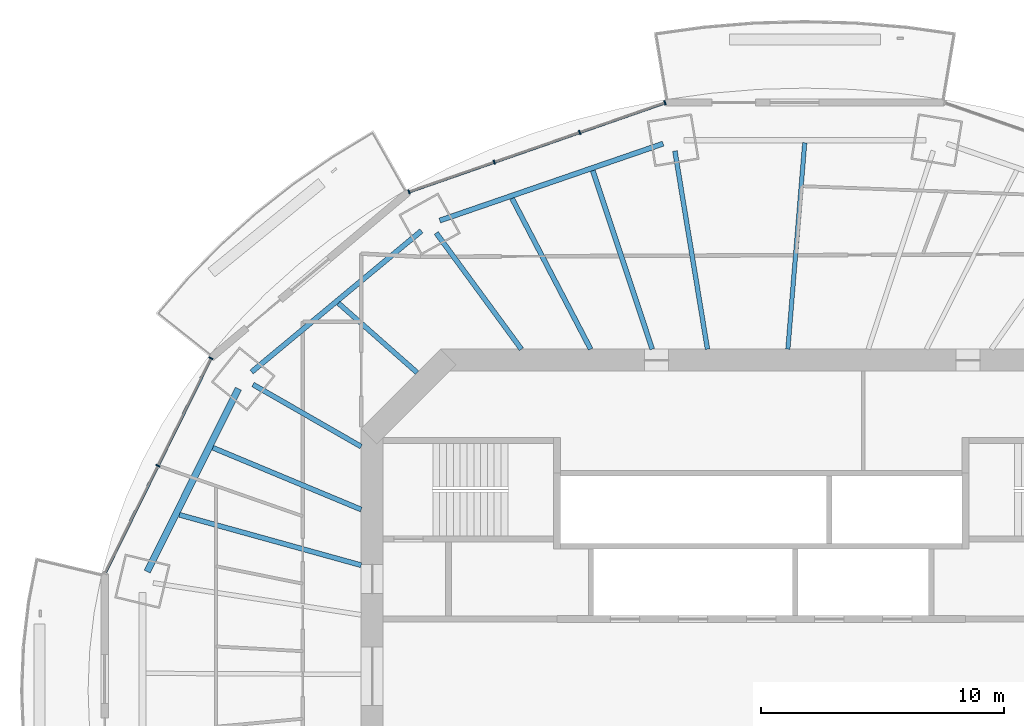
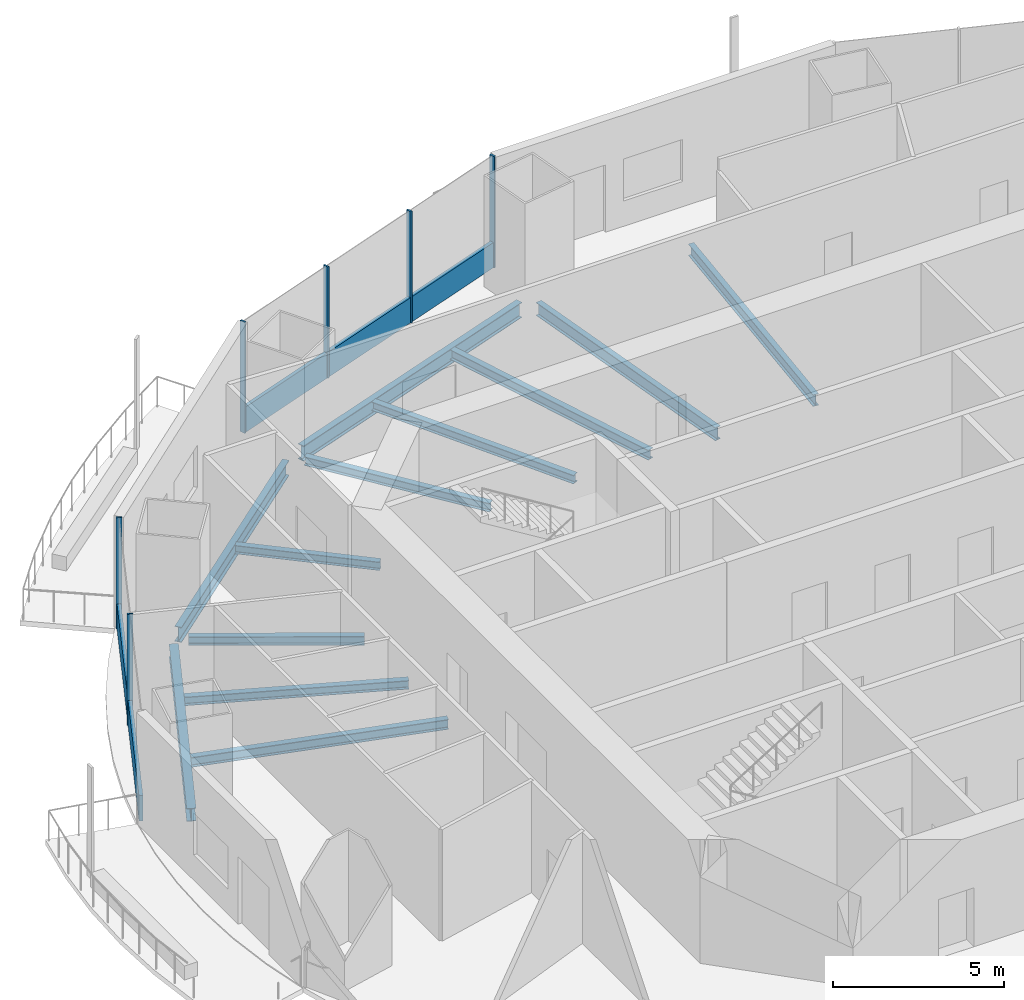
# One storey, part 6 of 18: 12 beams, 8 members, 2 elements without a shape of their own.
"""IFC4 building model written with IfcOpenShell, lengths in metres."""

from ifc_helpers import new_model, si_unit, direction, frame, origin, origin_2d, place, context, subcontext, project, spatial, rectangle, i_section, extrude, material, material_profile, profile_set, type_object, element, aggregate, save


model = new_model("IFC4")

# Units and contexts
model_context = context("Model", 3, precision=1e-05, world=origin(), true_north=direction((0.0, 1.0)))
body_context = subcontext(model_context, "Body", "Model", "MODEL_VIEW")
ifc_project = project(units=[si_unit("LENGTHUNIT", "METRE"), si_unit("AREAUNIT", "SQUARE_METRE"), si_unit("VOLUMEUNIT", "CUBIC_METRE"), si_unit("PLANEANGLEUNIT", "RADIAN"), si_unit("MASSUNIT", "GRAM", prefix="KILO")], contexts=[model_context])

# Site, building, storey
site_placement = place(None, origin())
site = spatial("IfcSite", under=ifc_project, at=site_placement, CompositionType="ELEMENT")
building_placement = place(site_placement, origin())
building = spatial("IfcBuilding", under=site, at=building_placement, Name="Marenthal Gate Tower", CompositionType="ELEMENT")
storey_placement = place(building_placement, frame((0.0, 0.0, 260.64990234375)))
storey = spatial("IfcBuildingStorey", under=building, at=storey_placement, Name="L58", CompositionType="ELEMENT", Elevation=260.64990234375)

# Curtain wall, members
ifc_material_1 = material(Name="Aluminium and glass", Category="aluminium")
curtain_wall_type = type_object("IfcCurtainWallType", Name="Curtain wall typical mid", PredefinedType="NOTDEFINED", material=ifc_material_1)
curtain_wall_1_placement = place(storey_placement, origin())
curtain_wall_1 = element("IfcCurtainWall", 1, at=curtain_wall_1_placement, inside=storey, type_object=curtain_wall_type, Name="Curtain wall L58 bay 5", PredefinedType="NOTDEFINED")
ifc_material_2 = material(Name="Aluminium", Category="aluminium")
ifc_material_profile_1 = material_profile(ifc_material_2, rectangle(XDim=0.179931640625, YDim=0.06005859375, at=origin_2d()), Name="60x180 aluminium mullion")
ifc_profile_set_1 = profile_set([ifc_material_profile_1], Name="Aluminium")
member_type_1 = type_object("IfcMemberType", Name="Mullion 60x180 typical mid", PredefinedType="MULLION", material=ifc_profile_set_1)
member_1_placement = place(storey_placement, frame((-3.956298828125, 23.584228515625, 0.0), z_axis=(0.0, 0.0, 1.0), x_axis=(0.328669787971, -0.944444900709, 0.0)))
member_1 = element("IfcMember", 2, at=member_1_placement, type_object=member_type_1, Name="Mullion L58 bay 5.1", PredefinedType="MULLION", context=body_context, shape_type="SweptSolid", body=[
    extrude(rectangle(XDim=0.179931640625, YDim=0.06005859375, at=origin_2d()), origin(), (0.0, 0.0, 1.0), 3.97021484375),
])
member_2_placement = place(storey_placement, frame((-7.465576171875, 22.363037109375, 0.0), z_axis=(0.0, 0.0, 1.0), x_axis=(0.328669787971, -0.944444900709, 0.0)))
member_2 = element("IfcMember", 3, at=member_2_placement, type_object=member_type_1, Name="Mullion L58 bay 5.2", PredefinedType="MULLION", context=body_context, shape_type="SweptSolid", body=[
    extrude(rectangle(XDim=0.179931640625, YDim=0.06005859375, at=origin_2d()), origin(), (0.0, 0.0, 1.0), 3.97021484375),
])
member_3_placement = place(storey_placement, frame((-10.974609375, 21.141845703125, 0.0), z_axis=(0.0, 0.0, 1.0), x_axis=(0.328669787971, -0.944444900709, 0.0)))
member_3 = element("IfcMember", 4, at=member_3_placement, type_object=member_type_1, Name="Mullion L58 bay 5.3", PredefinedType="MULLION", context=body_context, shape_type="SweptSolid", body=[
    extrude(rectangle(XDim=0.179931640625, YDim=0.06005859375, at=origin_2d()), origin(), (0.0, 0.0, 1.0), 3.97021484375),
])
member_4_placement = place(storey_placement, frame((-14.48388671875, 19.920654296875, 0.0), z_axis=(0.0, 0.0, 1.0), x_axis=(0.328669787971, -0.944444900709, 0.0)))
member_4 = element("IfcMember", 5, at=member_4_placement, type_object=member_type_1, Name="Mullion L58 bay 5.4", PredefinedType="MULLION", context=body_context, shape_type="SweptSolid", body=[
    extrude(rectangle(XDim=0.179931640625, YDim=0.06005859375, at=origin_2d()), origin(), (0.0, 0.0, 1.0), 3.97021484375),
])

curtain_wall_2_placement = place(storey_placement, origin())
curtain_wall_2 = element("IfcCurtainWall", 6, at=curtain_wall_2_placement, inside=storey, type_object=curtain_wall_type, Name="Curtain wall L58 bay 7", PredefinedType="NOTDEFINED")
member_5_placement = place(storey_placement, frame((-22.6259765625, 13.077880859375, 0.0), z_axis=(0.0, 0.0, 1.0), x_axis=(0.896920632002, -0.442191564697, 0.0)))
member_5 = element("IfcMember", 7, at=member_5_placement, type_object=member_type_1, Name="Mullion L58 bay 7.1", PredefinedType="MULLION", context=body_context, shape_type="SweptSolid", body=[
    extrude(rectangle(XDim=0.179931640625, YDim=0.06005859375, at=origin_2d()), origin(), (0.0, 0.0, 1.0), 3.97021484375),
])
member_6_placement = place(storey_placement, frame((-24.8046875, 8.65869140625, 0.0), z_axis=(0.0, 0.0, 1.0), x_axis=(0.896920632002, -0.442191564697, 0.0)))
member_6 = element("IfcMember", 8, at=member_6_placement, type_object=member_type_1, Name="Mullion L58 bay 7.2", PredefinedType="MULLION", context=body_context, shape_type="SweptSolid", body=[
    extrude(rectangle(XDim=0.179931640625, YDim=0.06005859375, at=origin_2d()), origin(), (0.0, 0.0, 1.0), 3.97021484375),
])

# Member
ifc_material_3 = material(Name="Aluminium", Category="aluminium")
ifc_material_profile_2 = material_profile(ifc_material_3, rectangle(XDim=0.1201171875, YDim=0.89990234375, at=origin_2d()), Name="120x900 aluminium transom")
ifc_profile_set_2 = profile_set([ifc_material_profile_2], Name="Aluminium")
member_type_2 = type_object("IfcMemberType", Name="Transom 120x900 typical mid", PredefinedType="USERDEFINED", material=ifc_profile_set_2)
member_7_placement = place(storey_placement, frame((-3.984619140625, 23.57421875, 0.4501953125), z_axis=(-0.944445984358, -0.328666674047, 0.0), x_axis=(0.328666674047, -0.944445984358, 0.0)))
member_7 = element("IfcMember", 9, at=member_7_placement, type_object=member_type_2, Name="Transom L58 bay 5", ObjectType="TRANSOM", PredefinedType="USERDEFINED", context=body_context, shape_type="SweptSolid", body=[
    extrude(rectangle(XDim=0.1201171875, YDim=0.89990234375, at=origin_2d()), origin(), (0.0, 0.0, 1.0), 11.086669921875),
])

aggregate(curtain_wall_1, [member_1, member_2, member_3, member_4, member_7])

member_8_placement = place(storey_placement, frame((-22.639404296875, 13.051025390625, 0.4501953125), z_axis=(-0.442181240155, -0.896925722039, 0.0), x_axis=(0.896925722039, -0.442181240155, 0.0)))
member_8 = element("IfcMember", 10, at=member_8_placement, type_object=member_type_2, Name="Transom L58 bay 7", ObjectType="TRANSOM", PredefinedType="USERDEFINED", context=body_context, shape_type="SweptSolid", body=[
    extrude(rectangle(XDim=0.1201171875, YDim=0.89990234375, at=origin_2d()), origin(), (0.0, 0.0, 1.0), 9.794189453125),
])

aggregate(curtain_wall_2, [member_5, member_6, member_8])

# Beams
ifc_material_4 = material(Name="Steel S355", Category="steel")
ifc_material_profile_3 = material_profile(ifc_material_4, i_section(OverallWidth=0.202880859375, OverallDepth=0.302001953125, WebThickness=0.007568359375, FlangeThickness=0.01318359375, FilletRadius=0.0126953125, at=origin_2d()), Name="W310X60")
ifc_profile_set_3 = profile_set([ifc_material_profile_3], Name="Steel S355")
beam_type_1 = type_object("IfcBeamType", Name="W310X60 beam", PredefinedType="BEAM", material=ifc_profile_set_3)
beam_1_placement = place(storey_placement, frame((-17.38623046875, 15.341064453125, -0.330810546875), z_axis=(0.74982960037, -0.661630992631, 0.0), x_axis=(0.661630992631, 0.74982960037, 0.0)))
element("IfcBeam", 11, at=beam_1_placement, inside=storey, type_object=beam_type_1, Name="BM-L58-25", PredefinedType="BEAM", context=body_context, shape_type="SweptSolid", body=[
    extrude(i_section(OverallWidth=0.202880859375, OverallDepth=0.302001953125, WebThickness=0.007568359375, FlangeThickness=0.01318359375, FilletRadius=0.0126953125, at=origin_2d()), origin(), (0.0, 0.0, 1.0), 4.3154296875),
])
ifc_material_5 = material(Name="Steel S355", Category="steel")
ifc_material_profile_4 = material_profile(ifc_material_5, i_section(OverallWidth=0.205078125, OverallDepth=0.31005859375, WebThickness=0.009521484375, FlangeThickness=0.016357421875, FilletRadius=0.0126953125, at=origin_2d()), Name="W310X74")
ifc_profile_set_4 = profile_set([ifc_material_profile_4], Name="Steel S355")
beam_type_2 = type_object("IfcBeamType", Name="W310X74 beam", PredefinedType="BEAM", material=ifc_profile_set_4)
beam_2_placement = place(storey_placement, frame((-13.36376953125, 18.22802734375, -0.3349609375), z_axis=(0.591254682891, -0.80648490374, 0.0), x_axis=(0.80648490374, 0.591254682891, 0.0)))
element("IfcBeam", 12, at=beam_2_placement, inside=storey, type_object=beam_type_2, Name="BM-L58-06", PredefinedType="BEAM", context=body_context, shape_type="SweptSolid", body=[
    extrude(i_section(OverallWidth=0.205078125, OverallDepth=0.31005859375, WebThickness=0.009521484375, FlangeThickness=0.016357421875, FilletRadius=0.0126953125, at=origin_2d()), origin(), (0.0, 0.0, 1.0), 5.924560546875),
])
beam_3_placement = place(storey_placement, frame((-20.898681640625, 11.9970703125, -0.3349609375), z_axis=(0.867269079929, -0.497839675999, 0.0), x_axis=(0.497839675999, 0.867269079929, 0.0)))
element("IfcBeam", 13, at=beam_3_placement, inside=storey, type_object=beam_type_2, Name="BM-L58-07", PredefinedType="BEAM", context=body_context, shape_type="SweptSolid", body=[
    extrude(i_section(OverallWidth=0.205078125, OverallDepth=0.31005859375, WebThickness=0.009521484375, FlangeThickness=0.016357421875, FilletRadius=0.0126953125, at=origin_2d()), origin(), (0.0, 0.0, 1.0), 5.129638671875),
])
beam_4_placement = place(storey_placement, frame((-10.24658203125, 19.651123046875, -0.3349609375), z_axis=(0.462341699515, -0.886701839904, 0.0), x_axis=(0.886701839904, 0.462341699515, 0.0)))
element("IfcBeam", 14, at=beam_4_placement, inside=storey, type_object=beam_type_2, Name="BM-L58-24", PredefinedType="BEAM", context=body_context, shape_type="SweptSolid", body=[
    extrude(i_section(OverallWidth=0.205078125, OverallDepth=0.31005859375, WebThickness=0.009521484375, FlangeThickness=0.016357421875, FilletRadius=0.0126953125, at=origin_2d()), origin(), (0.0, 0.0, 1.0), 6.993408203125),
])
beam_5_placement = place(storey_placement, frame((-22.552734375, 9.39892578125, -0.3349609375), z_axis=(0.923056164133, -0.384665202295, 0.0), x_axis=(0.384665202295, 0.923056164133, 0.0)))
element("IfcBeam", 15, at=beam_5_placement, inside=storey, type_object=beam_type_2, Name="BM-L58-26", PredefinedType="BEAM", context=body_context, shape_type="SweptSolid", body=[
    extrude(i_section(OverallWidth=0.205078125, OverallDepth=0.31005859375, WebThickness=0.009521484375, FlangeThickness=0.016357421875, FilletRadius=0.0126953125, at=origin_2d()), origin(), (0.0, 0.0, 1.0), 6.611572265625),
])
ifc_material_6 = material(Name="Steel S355", Category="steel")
ifc_material_profile_5 = material_profile(ifc_material_6, i_section(OverallWidth=0.205078125, OverallDepth=0.35302734375, WebThickness=0.009521484375, FlangeThickness=0.016845703125, FilletRadius=0.014892578125, at=origin_2d()), Name="W360X79")
ifc_profile_set_5 = profile_set([ifc_material_profile_5], Name="Steel S355")
beam_type_3 = type_object("IfcBeamType", Name="W360X79 beam", PredefinedType="BEAM", material=ifc_profile_set_5)
beam_6_placement = place(storey_placement, frame((-6.924560546875, 20.794677734375, -0.3564453125), z_axis=(0.315943913251, -0.94877786846, 0.0), x_axis=(0.94877786846, 0.315943913251, 0.0)))
element("IfcBeam", 16, at=beam_6_placement, inside=storey, type_object=beam_type_3, Name="BM-L58-23", PredefinedType="BEAM", context=body_context, shape_type="SweptSolid", body=[
    extrude(i_section(OverallWidth=0.205078125, OverallDepth=0.35302734375, WebThickness=0.009521484375, FlangeThickness=0.016845703125, FilletRadius=0.014892578125, at=origin_2d()), origin(), (0.0, 0.0, 1.0), 7.7412109375),
])
beam_7_placement = place(storey_placement, frame((-23.927490234375, 6.640380859375, -0.3564453125), z_axis=(0.963580984716, -0.267416689633, 0.0), x_axis=(0.267416689633, 0.963580984716, 0.0)))
element("IfcBeam", 17, at=beam_7_placement, inside=storey, type_object=beam_type_3, Name="BM-L58-27", PredefinedType="BEAM", context=body_context, shape_type="SweptSolid", body=[
    extrude(i_section(OverallWidth=0.205078125, OverallDepth=0.35302734375, WebThickness=0.009521484375, FlangeThickness=0.016845703125, FilletRadius=0.014892578125, at=origin_2d()), origin(), (0.0, 0.0, 1.0), 7.76025390625),
])
ifc_material_7 = material(Name="Steel S355", Category="steel")
ifc_material_profile_6 = material_profile(ifc_material_7, i_section(OverallWidth=0.180908203125, OverallDepth=0.4169921875, WebThickness=0.010986328125, FlangeThickness=0.018310546875, FilletRadius=0.01025390625, at=origin_2d()), Name="W410X85")
ifc_profile_set_6 = profile_set([ifc_material_profile_6], Name="Steel S355")
beam_type_4 = type_object("IfcBeamType", Name="W410X85 beam", PredefinedType="BEAM", material=ifc_profile_set_6)
beam_8_placement = place(storey_placement, frame((1.791259765625, 21.9384765625, -0.388427734375), z_axis=(-0.081382349502, -0.996682955202, 0.0), x_axis=(0.996682955202, -0.081382349502, 0.0)))
element("IfcBeam", 18, at=beam_8_placement, inside=storey, type_object=beam_type_4, Name="BM-L58-22", PredefinedType="BEAM", context=body_context, shape_type="SweptSolid", body=[
    extrude(i_section(OverallWidth=0.180908203125, OverallDepth=0.4169921875, WebThickness=0.010986328125, FlangeThickness=0.018310546875, FilletRadius=0.01025390625, at=origin_2d()), origin(), (0.0, 0.0, 1.0), 8.516845703125),
])
ifc_material_8 = material(Name="Steel S355", Category="steel")
ifc_material_profile_7 = material_profile(ifc_material_8, i_section(OverallWidth=0.279052734375, OverallDepth=0.4619140625, WebThickness=0.0107421875, FlangeThickness=0.017333984375, FilletRadius=0.010009765625, at=origin_2d()), Name="W460X113")
ifc_profile_set_7 = profile_set([ifc_material_profile_7], Name="Steel S355")
beam_type_5 = type_object("IfcBeamType", Name="W460X113 beam", PredefinedType="BEAM", material=ifc_profile_set_7)
beam_9_placement = place(storey_placement, frame((-21.498291015625, 11.8271484375, -0.410888671875), z_axis=(-0.446062695792, -0.895001715877, 0.0), x_axis=(0.895001715877, -0.446062695792, 0.0)))
element("IfcBeam", 19, at=beam_9_placement, inside=storey, type_object=beam_type_5, Name="BM-L58-47", PredefinedType="BEAM", context=body_context, shape_type="SweptSolid", body=[
    extrude(i_section(OverallWidth=0.279052734375, OverallDepth=0.4619140625, WebThickness=0.0107421875, FlangeThickness=0.017333984375, FilletRadius=0.010009765625, at=origin_2d()), origin(), (0.0, 0.0, 1.0), 8.403076171875),
])
ifc_material_9 = material(Name="Steel S355", Category="steel")
ifc_material_profile_8 = material_profile(ifc_material_9, i_section(OverallWidth=0.193115234375, OverallDepth=0.467041015625, WebThickness=0.011474609375, FlangeThickness=0.01904296875, FilletRadius=0.010009765625, at=origin_2d()), Name="W460X97")
ifc_profile_set_8 = profile_set([ifc_material_profile_8], Name="Steel S355")
beam_type_6 = type_object("IfcBeamType", Name="W460X97 beam", PredefinedType="BEAM", material=ifc_profile_set_8)
beam_10_placement = place(storey_placement, frame((-3.546875, 21.600341796875, -0.413330078125), z_axis=(0.162040220851, -0.986784154122, 0.0), x_axis=(0.986784154122, 0.162040220851, 0.0)))
element("IfcBeam", 20, at=beam_10_placement, inside=storey, type_object=beam_type_6, Name="BM-L58-05", PredefinedType="BEAM", context=body_context, shape_type="SweptSolid", body=[
    extrude(i_section(OverallWidth=0.193115234375, OverallDepth=0.467041015625, WebThickness=0.011474609375, FlangeThickness=0.01904296875, FilletRadius=0.010009765625, at=origin_2d()), origin(), (0.0, 0.0, 1.0), 8.259521484375),
])
ifc_material_10 = material(Name="Steel S355", Category="steel")
ifc_material_profile_9 = material_profile(ifc_material_10, i_section(OverallWidth=0.2119140625, OverallDepth=0.5439453125, WebThickness=0.01318359375, FlangeThickness=0.021240234375, FilletRadius=0.0126953125, at=origin_2d()), Name="W530X123")
ifc_profile_set_9 = profile_set([ifc_material_profile_9], Name="Steel S355")
beam_type_7 = type_object("IfcBeamType", Name="W530X123 beam", PredefinedType="BEAM", material=ifc_profile_set_9)
beam_11_placement = place(storey_placement, frame((-4.0341796875, 21.90185546875, -0.451904296875), z_axis=(-0.945538727214, -0.325509624034, 0.0), x_axis=(0.325509624034, -0.945538727214, 0.0)))
element("IfcBeam", 21, at=beam_11_placement, inside=storey, type_object=beam_type_7, Name="BM-L58-45", PredefinedType="BEAM", context=body_context, shape_type="SweptSolid", body=[
    extrude(i_section(OverallWidth=0.2119140625, OverallDepth=0.5439453125, WebThickness=0.01318359375, FlangeThickness=0.021240234375, FilletRadius=0.0126953125, at=origin_2d()), origin(), (0.0, 0.0, 1.0), 9.713623046875),
])
beam_12_placement = place(storey_placement, frame((-13.9736328125, 18.31494140625, -0.451904296875), z_axis=(-0.769082206984, -0.639149872018, 0.0), x_axis=(0.639149872018, -0.769082206984, 0.0)))
element("IfcBeam", 22, at=beam_12_placement, inside=storey, type_object=beam_type_7, Name="BM-L58-46", PredefinedType="BEAM", context=body_context, shape_type="SweptSolid", body=[
    extrude(i_section(OverallWidth=0.2119140625, OverallDepth=0.5439453125, WebThickness=0.01318359375, FlangeThickness=0.021240234375, FilletRadius=0.0126953125, at=origin_2d()), origin(), (0.0, 0.0, 1.0), 9.0810546875),
])

save(model, "model.ifc")
